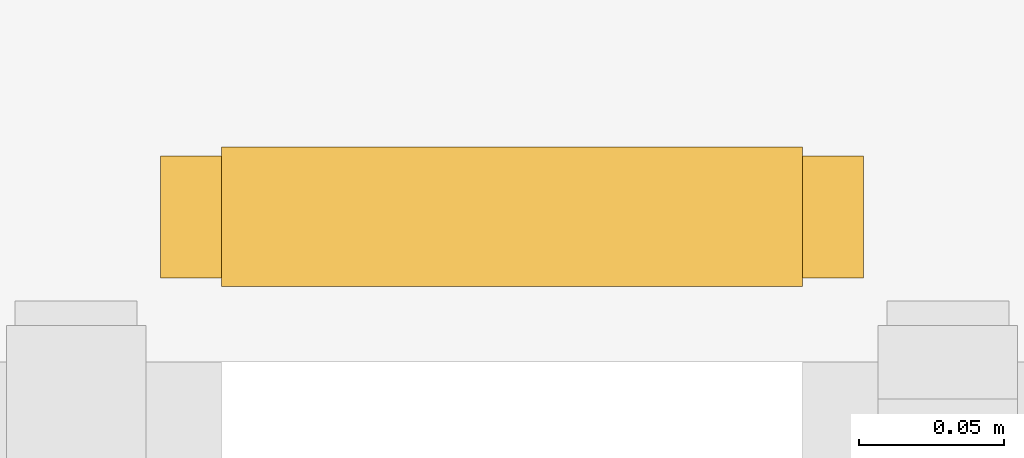
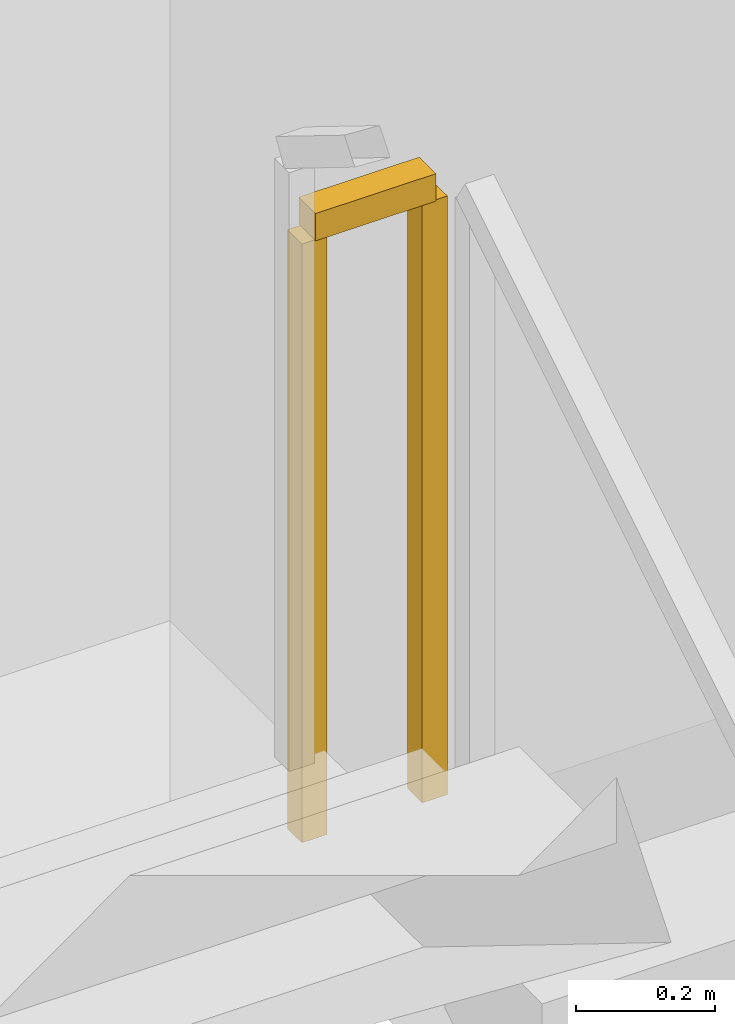
# One storey, part 15 of 20: 1 railing.
"""IFC4 building model written with IfcOpenShell, lengths in metres."""

from ifc_helpers import new_model, si_unit, direction, frame, origin, origin_2d, place, context, subcontext, project, spatial, rectangle, extrude, material, type_object, element, save


model = new_model("IFC4")

# Units and contexts
model_context = context("Model", 3, precision=1e-05, world=origin(), true_north=direction((0.0, 1.0)))
body_context = subcontext(model_context, "Body", "Model", "MODEL_VIEW")
ifc_project = project(units=[si_unit("LENGTHUNIT", "METRE"), si_unit("AREAUNIT", "SQUARE_METRE"), si_unit("VOLUMEUNIT", "CUBIC_METRE"), si_unit("PLANEANGLEUNIT", "RADIAN"), si_unit("MASSUNIT", "GRAM", prefix="KILO")], contexts=[model_context])

# Site, building, storey
site_placement = place(None, origin())
site = spatial("IfcSite", under=ifc_project, at=site_placement, CompositionType="ELEMENT")
building_placement = place(site_placement, origin())
building = spatial("IfcBuilding", under=site, at=building_placement, Name="Kiyonajd Concourse Tower", CompositionType="ELEMENT")
storey_placement = place(building_placement, frame((0.0, 0.0, -4.5)))
storey = spatial("IfcBuildingStorey", under=building, at=storey_placement, Name="B1", CompositionType="ELEMENT", Elevation=-4.5)

# Railing
ifc_material = material(Name="Steel ASTM A500 Grade C", Category="steel")
railing_type = type_object("IfcRailingType", Name="RL-GRD-STR", PredefinedType="GUARDRAIL", material=ifc_material)
railing_placement = place(storey_placement, frame((11.300048828125, 33.06005859375, 2.25)))
element("IfcRailing", 1, at=railing_placement, inside=storey, type_object=railing_type, Name="B1 ST4 stair guard 2", PredefinedType="GUARDRAIL", context=body_context, shape_type="SweptSolid", body=[
    extrude(rectangle(XDim=0.048095703125, YDim=0.048095703125, at=origin_2d()), frame((0.0, 0.0, 1.076171875), z_axis=(-1.0, 0.0, 0.0), x_axis=(0.0, -1.0, 0.0)), (0.0, 0.0, 1.0), 0.199951171875),
    extrude(rectangle(XDim=0.0419921875, YDim=0.0419921875, at=origin_2d()), origin(), (0.0, 0.0, 1.0), 1.052001953125),
    extrude(rectangle(XDim=0.0419921875, YDim=0.0419921875, at=origin_2d()), frame((-0.199951171875, 0.0, 0.0)), (0.0, 0.0, 1.0), 1.052001953125),
])

save(model, "model.ifc")
